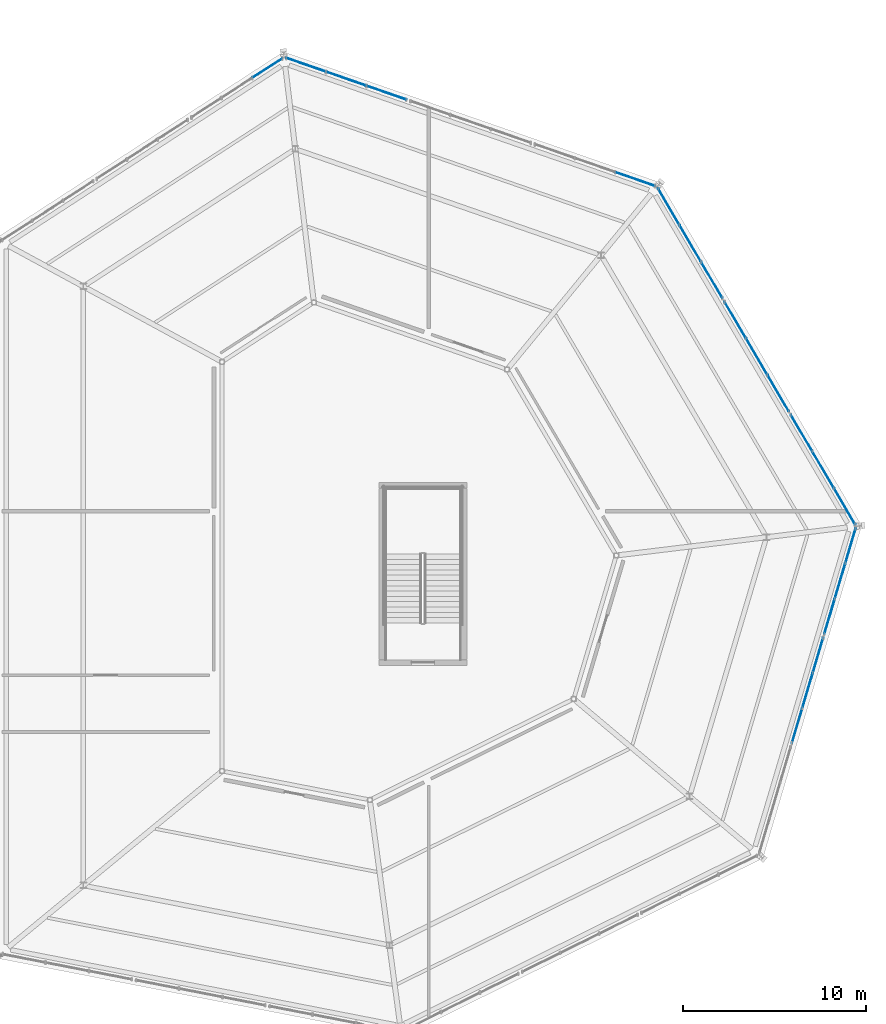
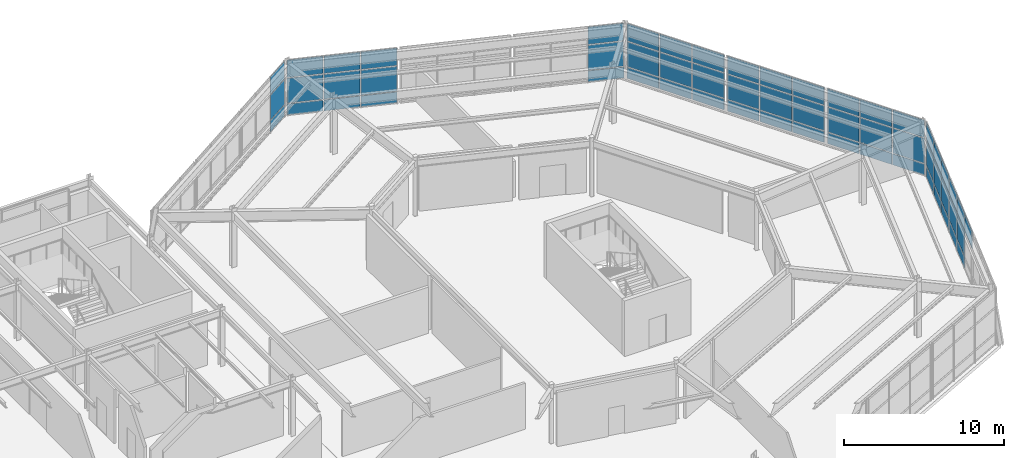
# One storey, part 43 of 69: 58 plates, 8 elements without a shape of their own.
"""IFC4 building model written with IfcOpenShell, lengths in metres."""

from ifc_helpers import new_model, si_unit, direction, frame, origin, origin_2d, place, context, subcontext, project, spatial, rectangle, extrude, material, layer, layer_set, type_object, element, aggregate, save


model = new_model("IFC4")

# Units and contexts
model_context = context("Model", 3, precision=1e-05, world=origin(), true_north=direction((0.0, 1.0)))
body_context = subcontext(model_context, "Body", "Model", "MODEL_VIEW")
ifc_project = project(units=[si_unit("LENGTHUNIT", "METRE"), si_unit("AREAUNIT", "SQUARE_METRE"), si_unit("VOLUMEUNIT", "CUBIC_METRE"), si_unit("PLANEANGLEUNIT", "RADIAN"), si_unit("MASSUNIT", "GRAM", prefix="KILO")], contexts=[model_context])

# Site, building, storey
site_placement = place(None, origin())
site = spatial("IfcSite", under=ifc_project, at=site_placement, CompositionType="ELEMENT")
building_placement = place(site_placement, origin())
building = spatial("IfcBuilding", under=site, at=building_placement, Name="Sarnbrook Museum", CompositionType="ELEMENT")
storey_placement = place(building_placement, frame((0.0, 0.0, 14.60009765625)))
storey = spatial("IfcBuildingStorey", under=building, at=storey_placement, Name="L03", CompositionType="ELEMENT", Elevation=14.60009765625)

# Curtain wall, plates
ifc_material_1 = material(Name="Thermally Broken Anodised Aluminium 6063-T6", Category="aluminium")
curtain_wall_type = type_object("IfcCurtainWallType", Name="CurtainWall_CrystalFacet", PredefinedType="NOTDEFINED", material=ifc_material_1)
curtain_wall_1_placement = place(storey_placement, origin())
curtain_wall_1 = element("IfcCurtainWall", 1, at=curtain_wall_1_placement, inside=storey, type_object=curtain_wall_type, Name="Crystal Hall Facet Curtain Wall L03-F3.2", PredefinedType="NOTDEFINED")
ifc_material_2 = material(Name="Double-Glazed Low-Iron Laminated Safety Glass", Category="glass")
ifc_layer_1 = layer(ifc_material_2, 0.031982421875)
ifc_layer_set_1 = layer_set([ifc_layer_1], Name="Double-Glazed Low-Iron Laminated Safety Glass")
plate_type_1 = type_object("IfcPlateType", Name="CW_GlazedPanel_32", PredefinedType="CURTAIN_PANEL", material=ifc_layer_set_1)
plate_1_placement = place(storey_placement, frame((164.26123046875, 76.873779296875, 3.544921875), z_axis=(0.958645365985, -0.284603341996, 0.0), x_axis=(0.284603341996, 0.958645365985, 0.0)))
plate_1 = element("IfcPlate", 2, at=plate_1_placement, type_object=plate_type_1, Name="Crystal Hall Facet Curtain Wall L03-F3.2 Glazed Panel 1-3", PredefinedType="CURTAIN_PANEL", context=body_context, shape_type="SweptSolid", body=[
    extrude(rectangle(XDim=1.95556640625, YDim=1.320068359375, at=origin_2d()), origin(), (0.0, 0.0, 1.0), 0.031982421875),
])
plate_2_placement = place(storey_placement, frame((164.839111328125, 78.8203125, 1.875), z_axis=(0.958645365985, -0.284603341996, 0.0), x_axis=(0.284603341996, 0.958645365985, 0.0)))
plate_2 = element("IfcPlate", 3, at=plate_2_placement, type_object=plate_type_1, Name="Crystal Hall Facet Curtain Wall L03-F3.2 Glazed Panel 2-2", PredefinedType="CURTAIN_PANEL", context=body_context, shape_type="SweptSolid", body=[
    extrude(rectangle(XDim=1.95556640625, YDim=1.8798828125, at=origin_2d()), origin(), (0.0, 0.0, 1.0), 0.031982421875),
])
plate_3_placement = place(storey_placement, frame((164.839111328125, 78.8203125, 3.544921875), z_axis=(0.958645365985, -0.284603341996, 0.0), x_axis=(0.284603341996, 0.958645365985, 0.0)))
plate_3 = element("IfcPlate", 4, at=plate_3_placement, type_object=plate_type_1, Name="Crystal Hall Facet Curtain Wall L03-F3.2 Glazed Panel 2-3", PredefinedType="CURTAIN_PANEL", context=body_context, shape_type="SweptSolid", body=[
    extrude(rectangle(XDim=1.95556640625, YDim=1.320068359375, at=origin_2d()), origin(), (0.0, 0.0, 1.0), 0.031982421875),
])
plate_4_placement = place(storey_placement, frame((165.417236328125, 80.766845703125, 1.875), z_axis=(0.958645365985, -0.284603341996, 0.0), x_axis=(0.284603341996, 0.958645365985, 0.0)))
plate_4 = element("IfcPlate", 5, at=plate_4_placement, type_object=plate_type_1, Name="Crystal Hall Facet Curtain Wall L03-F3.2 Glazed Panel 3-2", PredefinedType="CURTAIN_PANEL", context=body_context, shape_type="SweptSolid", body=[
    extrude(rectangle(XDim=1.95556640625, YDim=1.8798828125, at=origin_2d()), origin(), (0.0, 0.0, 1.0), 0.031982421875),
])
plate_5_placement = place(storey_placement, frame((165.417236328125, 80.766845703125, 3.544921875), z_axis=(0.958645365985, -0.284603341996, 0.0), x_axis=(0.284603341996, 0.958645365985, 0.0)))
plate_5 = element("IfcPlate", 6, at=plate_5_placement, type_object=plate_type_1, Name="Crystal Hall Facet Curtain Wall L03-F3.2 Glazed Panel 3-3", PredefinedType="CURTAIN_PANEL", context=body_context, shape_type="SweptSolid", body=[
    extrude(rectangle(XDim=1.95556640625, YDim=1.320068359375, at=origin_2d()), origin(), (0.0, 0.0, 1.0), 0.031982421875),
])

curtain_wall_2_placement = place(storey_placement, origin())
curtain_wall_2 = element("IfcCurtainWall", 7, at=curtain_wall_2_placement, inside=storey, type_object=curtain_wall_type, Name="Crystal Hall Facet Curtain Wall L03-F3.3", PredefinedType="NOTDEFINED")
plate_6_placement = place(storey_placement, frame((166.04052734375, 82.86669921875, 1.875), z_axis=(0.958645365985, -0.284603341996, 0.0), x_axis=(0.284603341996, 0.958645365985, 0.0)))
plate_6 = element("IfcPlate", 8, at=plate_6_placement, type_object=plate_type_1, Name="Crystal Hall Facet Curtain Wall L03-F3.3 Glazed Panel 1-2", PredefinedType="CURTAIN_PANEL", context=body_context, shape_type="SweptSolid", body=[
    extrude(rectangle(XDim=1.95556640625, YDim=1.8798828125, at=origin_2d()), origin(), (0.0, 0.0, 1.0), 0.031982421875),
])
plate_7_placement = place(storey_placement, frame((166.04052734375, 82.86669921875, 3.544921875), z_axis=(0.958645365985, -0.284603341996, 0.0), x_axis=(0.284603341996, 0.958645365985, 0.0)))
plate_7 = element("IfcPlate", 9, at=plate_7_placement, type_object=plate_type_1, Name="Crystal Hall Facet Curtain Wall L03-F3.3 Glazed Panel 1-3", PredefinedType="CURTAIN_PANEL", context=body_context, shape_type="SweptSolid", body=[
    extrude(rectangle(XDim=1.95556640625, YDim=1.320068359375, at=origin_2d()), origin(), (0.0, 0.0, 1.0), 0.031982421875),
])
plate_8_placement = place(storey_placement, frame((166.618408203125, 84.813232421875, 1.875), z_axis=(0.958645365985, -0.284603341996, 0.0), x_axis=(0.284603341996, 0.958645365985, 0.0)))
plate_8 = element("IfcPlate", 10, at=plate_8_placement, type_object=plate_type_1, Name="Crystal Hall Facet Curtain Wall L03-F3.3 Glazed Panel 2-2", PredefinedType="CURTAIN_PANEL", context=body_context, shape_type="SweptSolid", body=[
    extrude(rectangle(XDim=1.95556640625, YDim=1.8798828125, at=origin_2d()), origin(), (0.0, 0.0, 1.0), 0.031982421875),
])
plate_9_placement = place(storey_placement, frame((166.618408203125, 84.813232421875, 3.544921875), z_axis=(0.958645365985, -0.284603341996, 0.0), x_axis=(0.284603341996, 0.958645365985, 0.0)))
plate_9 = element("IfcPlate", 11, at=plate_9_placement, type_object=plate_type_1, Name="Crystal Hall Facet Curtain Wall L03-F3.3 Glazed Panel 2-3", PredefinedType="CURTAIN_PANEL", context=body_context, shape_type="SweptSolid", body=[
    extrude(rectangle(XDim=1.95556640625, YDim=1.320068359375, at=origin_2d()), origin(), (0.0, 0.0, 1.0), 0.031982421875),
])
plate_10_placement = place(storey_placement, frame((167.1962890625, 86.759765625, 1.875), z_axis=(0.958645365985, -0.284603341996, 0.0), x_axis=(0.284603341996, 0.958645365985, 0.0)))
plate_10 = element("IfcPlate", 12, at=plate_10_placement, type_object=plate_type_1, Name="Crystal Hall Facet Curtain Wall L03-F3.3 Glazed Panel 3-2", PredefinedType="CURTAIN_PANEL", context=body_context, shape_type="SweptSolid", body=[
    extrude(rectangle(XDim=1.95556640625, YDim=1.8798828125, at=origin_2d()), origin(), (0.0, 0.0, 1.0), 0.031982421875),
])
plate_11_placement = place(storey_placement, frame((167.1962890625, 86.759765625, 3.544921875), z_axis=(0.958645365985, -0.284603341996, 0.0), x_axis=(0.284603341996, 0.958645365985, 0.0)))
plate_11 = element("IfcPlate", 13, at=plate_11_placement, type_object=plate_type_1, Name="Crystal Hall Facet Curtain Wall L03-F3.3 Glazed Panel 3-3", PredefinedType="CURTAIN_PANEL", context=body_context, shape_type="SweptSolid", body=[
    extrude(rectangle(XDim=1.95556640625, YDim=1.320068359375, at=origin_2d()), origin(), (0.0, 0.0, 1.0), 0.031982421875),
])

curtain_wall_3_placement = place(storey_placement, origin())
curtain_wall_3 = element("IfcCurtainWall", 14, at=curtain_wall_3_placement, inside=storey, type_object=curtain_wall_type, Name="Crystal Hall Facet Curtain Wall L03-F4.1", PredefinedType="NOTDEFINED")
plate_12_placement = place(storey_placement, frame((166.876220703125, 88.8818359375, 1.875), z_axis=(0.862499358777, 0.506058154869, 0.0), x_axis=(-0.506058154869, 0.862499358777, 0.0)))
plate_12 = element("IfcPlate", 15, at=plate_12_placement, type_object=plate_type_1, Name="Crystal Hall Facet Curtain Wall L03-F4.1 Glazed Panel 1-2", PredefinedType="CURTAIN_PANEL", context=body_context, shape_type="SweptSolid", body=[
    extrude(rectangle(XDim=2.26611328125, YDim=1.8798828125, at=origin_2d()), origin(), (0.0, 0.0, 1.0), 0.031982421875),
])
plate_13_placement = place(storey_placement, frame((166.876220703125, 88.8818359375, 3.544921875), z_axis=(0.862499358777, 0.506058154869, 0.0), x_axis=(-0.506058154869, 0.862499358777, 0.0)))
plate_13 = element("IfcPlate", 16, at=plate_13_placement, type_object=plate_type_1, Name="Crystal Hall Facet Curtain Wall L03-F4.1 Glazed Panel 1-3", PredefinedType="CURTAIN_PANEL", context=body_context, shape_type="SweptSolid", body=[
    extrude(rectangle(XDim=2.26611328125, YDim=1.320068359375, at=origin_2d()), origin(), (0.0, 0.0, 1.0), 0.031982421875),
])
plate_14_placement = place(storey_placement, frame((165.69140625, 90.901123046875, 1.875), z_axis=(0.862499358777, 0.506058154869, 0.0), x_axis=(-0.506058154869, 0.862499358777, 0.0)))
plate_14 = element("IfcPlate", 17, at=plate_14_placement, type_object=plate_type_1, Name="Crystal Hall Facet Curtain Wall L03-F4.1 Glazed Panel 2-2", PredefinedType="CURTAIN_PANEL", context=body_context, shape_type="SweptSolid", body=[
    extrude(rectangle(XDim=2.26611328125, YDim=1.8798828125, at=origin_2d()), origin(), (0.0, 0.0, 1.0), 0.031982421875),
])
plate_15_placement = place(storey_placement, frame((165.69140625, 90.901123046875, 3.544921875), z_axis=(0.862499358777, 0.506058154869, 0.0), x_axis=(-0.506058154869, 0.862499358777, 0.0)))
plate_15 = element("IfcPlate", 18, at=plate_15_placement, type_object=plate_type_1, Name="Crystal Hall Facet Curtain Wall L03-F4.1 Glazed Panel 2-3", PredefinedType="CURTAIN_PANEL", context=body_context, shape_type="SweptSolid", body=[
    extrude(rectangle(XDim=2.26611328125, YDim=1.320068359375, at=origin_2d()), origin(), (0.0, 0.0, 1.0), 0.031982421875),
])
plate_16_placement = place(storey_placement, frame((164.506591796875, 92.920166015625, 1.875), z_axis=(0.862499358777, 0.506058154869, 0.0), x_axis=(-0.506058154869, 0.862499358777, 0.0)))
plate_16 = element("IfcPlate", 19, at=plate_16_placement, type_object=plate_type_1, Name="Crystal Hall Facet Curtain Wall L03-F4.1 Glazed Panel 3-2", PredefinedType="CURTAIN_PANEL", context=body_context, shape_type="SweptSolid", body=[
    extrude(rectangle(XDim=2.26611328125, YDim=1.8798828125, at=origin_2d()), origin(), (0.0, 0.0, 1.0), 0.031982421875),
])
plate_17_placement = place(storey_placement, frame((164.506591796875, 92.920166015625, 3.544921875), z_axis=(0.862499358777, 0.506058154869, 0.0), x_axis=(-0.506058154869, 0.862499358777, 0.0)))
plate_17 = element("IfcPlate", 20, at=plate_17_placement, type_object=plate_type_1, Name="Crystal Hall Facet Curtain Wall L03-F4.1 Glazed Panel 3-3", PredefinedType="CURTAIN_PANEL", context=body_context, shape_type="SweptSolid", body=[
    extrude(rectangle(XDim=2.26611328125, YDim=1.320068359375, at=origin_2d()), origin(), (0.0, 0.0, 1.0), 0.031982421875),
])

curtain_wall_4_placement = place(storey_placement, origin())
curtain_wall_4 = element("IfcCurtainWall", 21, at=curtain_wall_4_placement, inside=storey, type_object=curtain_wall_type, Name="Crystal Hall Facet Curtain Wall L03-F4.2", PredefinedType="NOTDEFINED")
plate_18_placement = place(storey_placement, frame((163.240966796875, 95.077392578125, 1.875), z_axis=(0.862499358777, 0.506058154869, 0.0), x_axis=(-0.506058154869, 0.862499358777, 0.0)))
plate_18 = element("IfcPlate", 22, at=plate_18_placement, type_object=plate_type_1, Name="Crystal Hall Facet Curtain Wall L03-F4.2 Glazed Panel 1-2", PredefinedType="CURTAIN_PANEL", context=body_context, shape_type="SweptSolid", body=[
    extrude(rectangle(XDim=2.26611328125, YDim=1.8798828125, at=origin_2d()), origin(), (0.0, 0.0, 1.0), 0.031982421875),
])
plate_19_placement = place(storey_placement, frame((163.240966796875, 95.077392578125, 3.544921875), z_axis=(0.862499358777, 0.506058154869, 0.0), x_axis=(-0.506058154869, 0.862499358777, 0.0)))
plate_19 = element("IfcPlate", 23, at=plate_19_placement, type_object=plate_type_1, Name="Crystal Hall Facet Curtain Wall L03-F4.2 Glazed Panel 1-3", PredefinedType="CURTAIN_PANEL", context=body_context, shape_type="SweptSolid", body=[
    extrude(rectangle(XDim=2.26611328125, YDim=1.320068359375, at=origin_2d()), origin(), (0.0, 0.0, 1.0), 0.031982421875),
])
plate_20_placement = place(storey_placement, frame((162.05615234375, 97.096435546875, 1.875), z_axis=(0.862499358777, 0.506058154869, 0.0), x_axis=(-0.506058154869, 0.862499358777, 0.0)))
plate_20 = element("IfcPlate", 24, at=plate_20_placement, type_object=plate_type_1, Name="Crystal Hall Facet Curtain Wall L03-F4.2 Glazed Panel 2-2", PredefinedType="CURTAIN_PANEL", context=body_context, shape_type="SweptSolid", body=[
    extrude(rectangle(XDim=2.26611328125, YDim=1.8798828125, at=origin_2d()), origin(), (0.0, 0.0, 1.0), 0.031982421875),
])
plate_21_placement = place(storey_placement, frame((162.05615234375, 97.096435546875, 3.544921875), z_axis=(0.862499358777, 0.506058154869, 0.0), x_axis=(-0.506058154869, 0.862499358777, 0.0)))
plate_21 = element("IfcPlate", 25, at=plate_21_placement, type_object=plate_type_1, Name="Crystal Hall Facet Curtain Wall L03-F4.2 Glazed Panel 2-3", PredefinedType="CURTAIN_PANEL", context=body_context, shape_type="SweptSolid", body=[
    extrude(rectangle(XDim=2.26611328125, YDim=1.320068359375, at=origin_2d()), origin(), (0.0, 0.0, 1.0), 0.031982421875),
])
plate_22_placement = place(storey_placement, frame((160.87158203125, 99.11572265625, 1.875), z_axis=(0.862499358777, 0.506058154869, 0.0), x_axis=(-0.506058154869, 0.862499358777, 0.0)))
plate_22 = element("IfcPlate", 26, at=plate_22_placement, type_object=plate_type_1, Name="Crystal Hall Facet Curtain Wall L03-F4.2 Glazed Panel 3-2", PredefinedType="CURTAIN_PANEL", context=body_context, shape_type="SweptSolid", body=[
    extrude(rectangle(XDim=2.26611328125, YDim=1.8798828125, at=origin_2d()), origin(), (0.0, 0.0, 1.0), 0.031982421875),
])
plate_23_placement = place(storey_placement, frame((160.87158203125, 99.11572265625, 3.544921875), z_axis=(0.862499358777, 0.506058154869, 0.0), x_axis=(-0.506058154869, 0.862499358777, 0.0)))
plate_23 = element("IfcPlate", 27, at=plate_23_placement, type_object=plate_type_1, Name="Crystal Hall Facet Curtain Wall L03-F4.2 Glazed Panel 3-3", PredefinedType="CURTAIN_PANEL", context=body_context, shape_type="SweptSolid", body=[
    extrude(rectangle(XDim=2.26611328125, YDim=1.320068359375, at=origin_2d()), origin(), (0.0, 0.0, 1.0), 0.031982421875),
])

curtain_wall_5_placement = place(storey_placement, origin())
curtain_wall_5 = element("IfcCurtainWall", 28, at=curtain_wall_5_placement, inside=storey, type_object=curtain_wall_type, Name="Crystal Hall Facet Curtain Wall L03-F4.3", PredefinedType="NOTDEFINED")
plate_24_placement = place(storey_placement, frame((159.605712890625, 101.27294921875, 1.875), z_axis=(0.862499358777, 0.506058154869, 0.0), x_axis=(-0.506058154869, 0.862499358777, 0.0)))
plate_24 = element("IfcPlate", 29, at=plate_24_placement, type_object=plate_type_1, Name="Crystal Hall Facet Curtain Wall L03-F4.3 Glazed Panel 1-2", PredefinedType="CURTAIN_PANEL", context=body_context, shape_type="SweptSolid", body=[
    extrude(rectangle(XDim=2.26611328125, YDim=1.8798828125, at=origin_2d()), origin(), (0.0, 0.0, 1.0), 0.031982421875),
])
plate_25_placement = place(storey_placement, frame((159.605712890625, 101.27294921875, 3.544921875), z_axis=(0.862499358777, 0.506058154869, 0.0), x_axis=(-0.506058154869, 0.862499358777, 0.0)))
plate_25 = element("IfcPlate", 30, at=plate_25_placement, type_object=plate_type_1, Name="Crystal Hall Facet Curtain Wall L03-F4.3 Glazed Panel 1-3", PredefinedType="CURTAIN_PANEL", context=body_context, shape_type="SweptSolid", body=[
    extrude(rectangle(XDim=2.26611328125, YDim=1.320068359375, at=origin_2d()), origin(), (0.0, 0.0, 1.0), 0.031982421875),
])
plate_26_placement = place(storey_placement, frame((158.421142578125, 103.292236328125, 1.875), z_axis=(0.862499358777, 0.506058154869, 0.0), x_axis=(-0.506058154869, 0.862499358777, 0.0)))
plate_26 = element("IfcPlate", 31, at=plate_26_placement, type_object=plate_type_1, Name="Crystal Hall Facet Curtain Wall L03-F4.3 Glazed Panel 2-2", PredefinedType="CURTAIN_PANEL", context=body_context, shape_type="SweptSolid", body=[
    extrude(rectangle(XDim=2.26611328125, YDim=1.8798828125, at=origin_2d()), origin(), (0.0, 0.0, 1.0), 0.031982421875),
])
plate_27_placement = place(storey_placement, frame((158.421142578125, 103.292236328125, 3.544921875), z_axis=(0.862499358777, 0.506058154869, 0.0), x_axis=(-0.506058154869, 0.862499358777, 0.0)))
plate_27 = element("IfcPlate", 32, at=plate_27_placement, type_object=plate_type_1, Name="Crystal Hall Facet Curtain Wall L03-F4.3 Glazed Panel 2-3", PredefinedType="CURTAIN_PANEL", context=body_context, shape_type="SweptSolid", body=[
    extrude(rectangle(XDim=2.26611328125, YDim=1.320068359375, at=origin_2d()), origin(), (0.0, 0.0, 1.0), 0.031982421875),
])
plate_28_placement = place(storey_placement, frame((157.236328125, 105.311279296875, 1.875), z_axis=(0.862499358777, 0.506058154869, 0.0), x_axis=(-0.506058154869, 0.862499358777, 0.0)))
plate_28 = element("IfcPlate", 33, at=plate_28_placement, type_object=plate_type_1, Name="Crystal Hall Facet Curtain Wall L03-F4.3 Glazed Panel 3-2", PredefinedType="CURTAIN_PANEL", context=body_context, shape_type="SweptSolid", body=[
    extrude(rectangle(XDim=2.26611328125, YDim=1.8798828125, at=origin_2d()), origin(), (0.0, 0.0, 1.0), 0.031982421875),
])
plate_29_placement = place(storey_placement, frame((157.236328125, 105.311279296875, 3.544921875), z_axis=(0.862499358777, 0.506058154869, 0.0), x_axis=(-0.506058154869, 0.862499358777, 0.0)))
plate_29 = element("IfcPlate", 34, at=plate_29_placement, type_object=plate_type_1, Name="Crystal Hall Facet Curtain Wall L03-F4.3 Glazed Panel 3-3", PredefinedType="CURTAIN_PANEL", context=body_context, shape_type="SweptSolid", body=[
    extrude(rectangle(XDim=2.26611328125, YDim=1.320068359375, at=origin_2d()), origin(), (0.0, 0.0, 1.0), 0.031982421875),
])

curtain_wall_6_placement = place(storey_placement, origin())
curtain_wall_6 = element("IfcCurtainWall", 35, at=curtain_wall_6_placement, inside=storey, type_object=curtain_wall_type, Name="Crystal Hall Facet Curtain Wall L03-F5.1", PredefinedType="NOTDEFINED")
plate_30_placement = place(storey_placement, frame((155.42333984375, 106.797607421875, 1.875), z_axis=(0.328010484194, 0.944674082559, 0.0), x_axis=(-0.944674082559, 0.328010484194, 0.0)))
plate_30 = element("IfcPlate", 36, at=plate_30_placement, type_object=plate_type_1, Name="Crystal Hall Facet Curtain Wall L03-F5.1 Glazed Panel 1-2", PredefinedType="CURTAIN_PANEL", context=body_context, shape_type="SweptSolid", body=[
    extrude(rectangle(XDim=2.272705078125, YDim=1.8798828125, at=origin_2d()), origin(), (0.0, 0.0, 1.0), 0.031982421875),
])
plate_31_placement = place(storey_placement, frame((155.42333984375, 106.797607421875, 3.544921875), z_axis=(0.328010484194, 0.944674082559, 0.0), x_axis=(-0.944674082559, 0.328010484194, 0.0)))
plate_31 = element("IfcPlate", 37, at=plate_31_placement, type_object=plate_type_1, Name="Crystal Hall Facet Curtain Wall L03-F5.1 Glazed Panel 1-3", PredefinedType="CURTAIN_PANEL", context=body_context, shape_type="SweptSolid", body=[
    extrude(rectangle(XDim=2.272705078125, YDim=1.320068359375, at=origin_2d()), origin(), (0.0, 0.0, 1.0), 0.031982421875),
])

curtain_wall_7_placement = place(storey_placement, origin())
curtain_wall_7 = element("IfcCurtainWall", 38, at=curtain_wall_7_placement, inside=storey, type_object=curtain_wall_type, Name="Crystal Hall Facet Curtain Wall L03-F5.3", PredefinedType="NOTDEFINED")
plate_32_placement = place(storey_placement, frame((141.81396484375, 111.52294921875, 1.875), z_axis=(0.328010484194, 0.944674082559, 0.0), x_axis=(-0.944674082559, 0.328010484194, 0.0)))
plate_32 = element("IfcPlate", 39, at=plate_32_placement, type_object=plate_type_1, Name="Crystal Hall Facet Curtain Wall L03-F5.3 Glazed Panel 1-2", PredefinedType="CURTAIN_PANEL", context=body_context, shape_type="SweptSolid", body=[
    extrude(rectangle(XDim=2.272705078125, YDim=1.8798828125, at=origin_2d()), origin(), (0.0, 0.0, 1.0), 0.031982421875),
])
plate_33_placement = place(storey_placement, frame((141.81396484375, 111.52294921875, 3.544921875), z_axis=(0.328010484194, 0.944674082559, 0.0), x_axis=(-0.944674082559, 0.328010484194, 0.0)))
plate_33 = element("IfcPlate", 40, at=plate_33_placement, type_object=plate_type_1, Name="Crystal Hall Facet Curtain Wall L03-F5.3 Glazed Panel 1-3", PredefinedType="CURTAIN_PANEL", context=body_context, shape_type="SweptSolid", body=[
    extrude(rectangle(XDim=2.272705078125, YDim=1.320068359375, at=origin_2d()), origin(), (0.0, 0.0, 1.0), 0.031982421875),
])
plate_34_placement = place(storey_placement, frame((139.59619140625, 112.293212890625, 1.875), z_axis=(0.328010484194, 0.944674082559, 0.0), x_axis=(-0.944674082559, 0.328010484194, 0.0)))
plate_34 = element("IfcPlate", 41, at=plate_34_placement, type_object=plate_type_1, Name="Crystal Hall Facet Curtain Wall L03-F5.3 Glazed Panel 2-2", PredefinedType="CURTAIN_PANEL", context=body_context, shape_type="SweptSolid", body=[
    extrude(rectangle(XDim=2.272705078125, YDim=1.8798828125, at=origin_2d()), origin(), (0.0, 0.0, 1.0), 0.031982421875),
])
plate_35_placement = place(storey_placement, frame((139.59619140625, 112.293212890625, 3.544921875), z_axis=(0.328010484194, 0.944674082559, 0.0), x_axis=(-0.944674082559, 0.328010484194, 0.0)))
plate_35 = element("IfcPlate", 42, at=plate_35_placement, type_object=plate_type_1, Name="Crystal Hall Facet Curtain Wall L03-F5.3 Glazed Panel 2-3", PredefinedType="CURTAIN_PANEL", context=body_context, shape_type="SweptSolid", body=[
    extrude(rectangle(XDim=2.272705078125, YDim=1.320068359375, at=origin_2d()), origin(), (0.0, 0.0, 1.0), 0.031982421875),
])
plate_36_placement = place(storey_placement, frame((137.378173828125, 113.063232421875, 1.875), z_axis=(0.328010484194, 0.944674082559, 0.0), x_axis=(-0.944674082559, 0.328010484194, 0.0)))
plate_36 = element("IfcPlate", 43, at=plate_36_placement, type_object=plate_type_1, Name="Crystal Hall Facet Curtain Wall L03-F5.3 Glazed Panel 3-2", PredefinedType="CURTAIN_PANEL", context=body_context, shape_type="SweptSolid", body=[
    extrude(rectangle(XDim=2.272705078125, YDim=1.8798828125, at=origin_2d()), origin(), (0.0, 0.0, 1.0), 0.031982421875),
])
plate_37_placement = place(storey_placement, frame((137.378173828125, 113.063232421875, 3.544921875), z_axis=(0.328010484194, 0.944674082559, 0.0), x_axis=(-0.944674082559, 0.328010484194, 0.0)))
plate_37 = element("IfcPlate", 44, at=plate_37_placement, type_object=plate_type_1, Name="Crystal Hall Facet Curtain Wall L03-F5.3 Glazed Panel 3-3", PredefinedType="CURTAIN_PANEL", context=body_context, shape_type="SweptSolid", body=[
    extrude(rectangle(XDim=2.272705078125, YDim=1.320068359375, at=origin_2d()), origin(), (0.0, 0.0, 1.0), 0.031982421875),
])

curtain_wall_8_placement = place(storey_placement, origin())
curtain_wall_8 = element("IfcCurtainWall", 45, at=curtain_wall_8_placement, inside=storey, type_object=curtain_wall_type, Name="Crystal Hall Facet Curtain Wall L03-F6.1", PredefinedType="NOTDEFINED")
plate_38_placement = place(storey_placement, frame((135.29296875, 112.886474609375, 1.875), z_axis=(-0.54428459897, 0.838900634953, 0.0), x_axis=(-0.838900634953, -0.54428459897, 0.0)))
plate_38 = element("IfcPlate", 46, at=plate_38_placement, type_object=plate_type_1, Name="Crystal Hall Facet Curtain Wall L03-F6.1 Glazed Panel 1-2", PredefinedType="CURTAIN_PANEL", context=body_context, shape_type="SweptSolid", body=[
    extrude(rectangle(XDim=1.928955078125, YDim=1.8798828125, at=origin_2d()), origin(), (0.0, 0.0, 1.0), 0.031982421875),
])
plate_39_placement = place(storey_placement, frame((135.29296875, 112.886474609375, 3.544921875), z_axis=(-0.54428459897, 0.838900634953, 0.0), x_axis=(-0.838900634953, -0.54428459897, 0.0)))
plate_39 = element("IfcPlate", 47, at=plate_39_placement, type_object=plate_type_1, Name="Crystal Hall Facet Curtain Wall L03-F6.1 Glazed Panel 1-3", PredefinedType="CURTAIN_PANEL", context=body_context, shape_type="SweptSolid", body=[
    extrude(rectangle(XDim=1.928955078125, YDim=1.320068359375, at=origin_2d()), origin(), (0.0, 0.0, 1.0), 0.031982421875),
])

# Plate
ifc_material_3 = material(Name="Patinated Architectural Bronze")
ifc_layer_2 = layer(ifc_material_3, 0.044921875)
ifc_layer_set_2 = layer_set([ifc_layer_2], Name="Patinated Architectural Bronze")
plate_type_2 = type_object("IfcPlateType", Name="CW_SpandrelPanel_45", PredefinedType="CURTAIN_PANEL", material=ifc_layer_set_2)
plate_40_placement = place(storey_placement, frame((164.8330078125, 78.822021484375, 0.449951171875), z_axis=(0.958645365985, -0.284603341996, 0.0), x_axis=(0.284603341996, 0.958645365985, 0.0)))
plate_40 = element("IfcPlate", 48, at=plate_40_placement, type_object=plate_type_2, Name="Crystal Hall Facet Curtain Wall L03-F3.2 Spandrel Panel 2-1", PredefinedType="CURTAIN_PANEL", context=body_context, shape_type="SweptSolid", body=[
    extrude(rectangle(XDim=1.95556640625, YDim=0.830078125, at=origin_2d()), origin(), (0.0, 0.0, 1.0), 0.044921875),
])

plate_41_placement = place(storey_placement, frame((165.4111328125, 80.7685546875, 0.449951171875), z_axis=(0.958645365985, -0.284603341996, 0.0), x_axis=(0.284603341996, 0.958645365985, 0.0)))
plate_41 = element("IfcPlate", 49, at=plate_41_placement, type_object=plate_type_2, Name="Crystal Hall Facet Curtain Wall L03-F3.2 Spandrel Panel 3-1", PredefinedType="CURTAIN_PANEL", context=body_context, shape_type="SweptSolid", body=[
    extrude(rectangle(XDim=1.95556640625, YDim=0.830078125, at=origin_2d()), origin(), (0.0, 0.0, 1.0), 0.044921875),
])

aggregate(curtain_wall_1, [plate_1, plate_40, plate_2, plate_3, plate_41, plate_4, plate_5])

plate_42_placement = place(storey_placement, frame((166.034423828125, 82.868408203125, 0.449951171875), z_axis=(0.958645365985, -0.284603341996, 0.0), x_axis=(0.284603341996, 0.958645365985, 0.0)))
plate_42 = element("IfcPlate", 50, at=plate_42_placement, type_object=plate_type_2, Name="Crystal Hall Facet Curtain Wall L03-F3.3 Spandrel Panel 1-1", PredefinedType="CURTAIN_PANEL", context=body_context, shape_type="SweptSolid", body=[
    extrude(rectangle(XDim=1.95556640625, YDim=0.830078125, at=origin_2d()), origin(), (0.0, 0.0, 1.0), 0.044921875),
])

plate_43_placement = place(storey_placement, frame((166.6123046875, 84.81494140625, 0.449951171875), z_axis=(0.958645365985, -0.284603341996, 0.0), x_axis=(0.284603341996, 0.958645365985, 0.0)))
plate_43 = element("IfcPlate", 51, at=plate_43_placement, type_object=plate_type_2, Name="Crystal Hall Facet Curtain Wall L03-F3.3 Spandrel Panel 2-1", PredefinedType="CURTAIN_PANEL", context=body_context, shape_type="SweptSolid", body=[
    extrude(rectangle(XDim=1.95556640625, YDim=0.830078125, at=origin_2d()), origin(), (0.0, 0.0, 1.0), 0.044921875),
])

plate_44_placement = place(storey_placement, frame((167.190185546875, 86.761474609375, 0.449951171875), z_axis=(0.958645365985, -0.284603341996, 0.0), x_axis=(0.284603341996, 0.958645365985, 0.0)))
plate_44 = element("IfcPlate", 52, at=plate_44_placement, type_object=plate_type_2, Name="Crystal Hall Facet Curtain Wall L03-F3.3 Spandrel Panel 3-1", PredefinedType="CURTAIN_PANEL", context=body_context, shape_type="SweptSolid", body=[
    extrude(rectangle(XDim=1.95556640625, YDim=0.830078125, at=origin_2d()), origin(), (0.0, 0.0, 1.0), 0.044921875),
])

aggregate(curtain_wall_2, [plate_42, plate_6, plate_7, plate_43, plate_8, plate_9, plate_44, plate_10, plate_11])

plate_45_placement = place(storey_placement, frame((166.87060546875, 88.87841796875, 0.449951171875), z_axis=(0.862499358777, 0.506058154869, 0.0), x_axis=(-0.506058154869, 0.862499358777, 0.0)))
plate_45 = element("IfcPlate", 53, at=plate_45_placement, type_object=plate_type_2, Name="Crystal Hall Facet Curtain Wall L03-F4.1 Spandrel Panel 1-1", PredefinedType="CURTAIN_PANEL", context=body_context, shape_type="SweptSolid", body=[
    extrude(rectangle(XDim=2.26611328125, YDim=0.830078125, at=origin_2d()), origin(), (0.0, 0.0, 1.0), 0.044921875),
])

plate_46_placement = place(storey_placement, frame((165.685791015625, 90.897705078125, 0.449951171875), z_axis=(0.862499358777, 0.506058154869, 0.0), x_axis=(-0.506058154869, 0.862499358777, 0.0)))
plate_46 = element("IfcPlate", 54, at=plate_46_placement, type_object=plate_type_2, Name="Crystal Hall Facet Curtain Wall L03-F4.1 Spandrel Panel 2-1", PredefinedType="CURTAIN_PANEL", context=body_context, shape_type="SweptSolid", body=[
    extrude(rectangle(XDim=2.26611328125, YDim=0.830078125, at=origin_2d()), origin(), (0.0, 0.0, 1.0), 0.044921875),
])

plate_47_placement = place(storey_placement, frame((164.5009765625, 92.916748046875, 0.449951171875), z_axis=(0.862499358777, 0.506058154869, 0.0), x_axis=(-0.506058154869, 0.862499358777, 0.0)))
plate_47 = element("IfcPlate", 55, at=plate_47_placement, type_object=plate_type_2, Name="Crystal Hall Facet Curtain Wall L03-F4.1 Spandrel Panel 3-1", PredefinedType="CURTAIN_PANEL", context=body_context, shape_type="SweptSolid", body=[
    extrude(rectangle(XDim=2.26611328125, YDim=0.830078125, at=origin_2d()), origin(), (0.0, 0.0, 1.0), 0.044921875),
])

aggregate(curtain_wall_3, [plate_45, plate_12, plate_13, plate_46, plate_14, plate_15, plate_47, plate_16, plate_17])

plate_48_placement = place(storey_placement, frame((163.2353515625, 95.073974609375, 0.449951171875), z_axis=(0.862499358777, 0.506058154869, 0.0), x_axis=(-0.506058154869, 0.862499358777, 0.0)))
plate_48 = element("IfcPlate", 56, at=plate_48_placement, type_object=plate_type_2, Name="Crystal Hall Facet Curtain Wall L03-F4.2 Spandrel Panel 1-1", PredefinedType="CURTAIN_PANEL", context=body_context, shape_type="SweptSolid", body=[
    extrude(rectangle(XDim=2.26611328125, YDim=0.830078125, at=origin_2d()), origin(), (0.0, 0.0, 1.0), 0.044921875),
])

plate_49_placement = place(storey_placement, frame((162.050537109375, 97.093017578125, 0.449951171875), z_axis=(0.862499358777, 0.506058154869, 0.0), x_axis=(-0.506058154869, 0.862499358777, 0.0)))
plate_49 = element("IfcPlate", 57, at=plate_49_placement, type_object=plate_type_2, Name="Crystal Hall Facet Curtain Wall L03-F4.2 Spandrel Panel 2-1", PredefinedType="CURTAIN_PANEL", context=body_context, shape_type="SweptSolid", body=[
    extrude(rectangle(XDim=2.26611328125, YDim=0.830078125, at=origin_2d()), origin(), (0.0, 0.0, 1.0), 0.044921875),
])

plate_50_placement = place(storey_placement, frame((160.865966796875, 99.1123046875, 0.449951171875), z_axis=(0.862499358777, 0.506058154869, 0.0), x_axis=(-0.506058154869, 0.862499358777, 0.0)))
plate_50 = element("IfcPlate", 58, at=plate_50_placement, type_object=plate_type_2, Name="Crystal Hall Facet Curtain Wall L03-F4.2 Spandrel Panel 3-1", PredefinedType="CURTAIN_PANEL", context=body_context, shape_type="SweptSolid", body=[
    extrude(rectangle(XDim=2.26611328125, YDim=0.830078125, at=origin_2d()), origin(), (0.0, 0.0, 1.0), 0.044921875),
])

aggregate(curtain_wall_4, [plate_48, plate_18, plate_19, plate_49, plate_20, plate_21, plate_50, plate_22, plate_23])

plate_51_placement = place(storey_placement, frame((159.60009765625, 101.26953125, 0.449951171875), z_axis=(0.862499358777, 0.506058154869, 0.0), x_axis=(-0.506058154869, 0.862499358777, 0.0)))
plate_51 = element("IfcPlate", 59, at=plate_51_placement, type_object=plate_type_2, Name="Crystal Hall Facet Curtain Wall L03-F4.3 Spandrel Panel 1-1", PredefinedType="CURTAIN_PANEL", context=body_context, shape_type="SweptSolid", body=[
    extrude(rectangle(XDim=2.26611328125, YDim=0.830078125, at=origin_2d()), origin(), (0.0, 0.0, 1.0), 0.044921875),
])

plate_52_placement = place(storey_placement, frame((158.41552734375, 103.288818359375, 0.449951171875), z_axis=(0.862499358777, 0.506058154869, 0.0), x_axis=(-0.506058154869, 0.862499358777, 0.0)))
plate_52 = element("IfcPlate", 60, at=plate_52_placement, type_object=plate_type_2, Name="Crystal Hall Facet Curtain Wall L03-F4.3 Spandrel Panel 2-1", PredefinedType="CURTAIN_PANEL", context=body_context, shape_type="SweptSolid", body=[
    extrude(rectangle(XDim=2.26611328125, YDim=0.830078125, at=origin_2d()), origin(), (0.0, 0.0, 1.0), 0.044921875),
])

plate_53_placement = place(storey_placement, frame((157.230712890625, 105.307861328125, 0.449951171875), z_axis=(0.862499358777, 0.506058154869, 0.0), x_axis=(-0.506058154869, 0.862499358777, 0.0)))
plate_53 = element("IfcPlate", 61, at=plate_53_placement, type_object=plate_type_2, Name="Crystal Hall Facet Curtain Wall L03-F4.3 Spandrel Panel 3-1", PredefinedType="CURTAIN_PANEL", context=body_context, shape_type="SweptSolid", body=[
    extrude(rectangle(XDim=2.26611328125, YDim=0.830078125, at=origin_2d()), origin(), (0.0, 0.0, 1.0), 0.044921875),
])

aggregate(curtain_wall_5, [plate_51, plate_24, plate_25, plate_52, plate_26, plate_27, plate_53, plate_28, plate_29])

plate_54_placement = place(storey_placement, frame((155.421142578125, 106.79150390625, 0.449951171875), z_axis=(0.328010484194, 0.944674082559, 0.0), x_axis=(-0.944674082559, 0.328010484194, 0.0)))
plate_54 = element("IfcPlate", 62, at=plate_54_placement, type_object=plate_type_2, Name="Crystal Hall Facet Curtain Wall L03-F5.1 Spandrel Panel 1-1", PredefinedType="CURTAIN_PANEL", context=body_context, shape_type="SweptSolid", body=[
    extrude(rectangle(XDim=2.272705078125, YDim=0.830078125, at=origin_2d()), origin(), (0.0, 0.0, 1.0), 0.044921875),
])

aggregate(curtain_wall_6, [plate_54, plate_30, plate_31])

plate_55_placement = place(storey_placement, frame((141.811767578125, 111.516845703125, 0.449951171875), z_axis=(0.328010484194, 0.944674082559, 0.0), x_axis=(-0.944674082559, 0.328010484194, 0.0)))
plate_55 = element("IfcPlate", 63, at=plate_55_placement, type_object=plate_type_2, Name="Crystal Hall Facet Curtain Wall L03-F5.3 Spandrel Panel 1-1", PredefinedType="CURTAIN_PANEL", context=body_context, shape_type="SweptSolid", body=[
    extrude(rectangle(XDim=2.272705078125, YDim=0.830078125, at=origin_2d()), origin(), (0.0, 0.0, 1.0), 0.044921875),
])

plate_56_placement = place(storey_placement, frame((139.593994140625, 112.287109375, 0.449951171875), z_axis=(0.328010484194, 0.944674082559, 0.0), x_axis=(-0.944674082559, 0.328010484194, 0.0)))
plate_56 = element("IfcPlate", 64, at=plate_56_placement, type_object=plate_type_2, Name="Crystal Hall Facet Curtain Wall L03-F5.3 Spandrel Panel 2-1", PredefinedType="CURTAIN_PANEL", context=body_context, shape_type="SweptSolid", body=[
    extrude(rectangle(XDim=2.272705078125, YDim=0.830078125, at=origin_2d()), origin(), (0.0, 0.0, 1.0), 0.044921875),
])

plate_57_placement = place(storey_placement, frame((137.3759765625, 113.05712890625, 0.449951171875), z_axis=(0.328010484194, 0.944674082559, 0.0), x_axis=(-0.944674082559, 0.328010484194, 0.0)))
plate_57 = element("IfcPlate", 65, at=plate_57_placement, type_object=plate_type_2, Name="Crystal Hall Facet Curtain Wall L03-F5.3 Spandrel Panel 3-1", PredefinedType="CURTAIN_PANEL", context=body_context, shape_type="SweptSolid", body=[
    extrude(rectangle(XDim=2.272705078125, YDim=0.830078125, at=origin_2d()), origin(), (0.0, 0.0, 1.0), 0.044921875),
])

aggregate(curtain_wall_7, [plate_55, plate_32, plate_33, plate_56, plate_34, plate_35, plate_57, plate_36, plate_37])

plate_58_placement = place(storey_placement, frame((135.29638671875, 112.881103515625, 0.449951171875), z_axis=(-0.54428459897, 0.838900634953, 0.0), x_axis=(-0.838900634953, -0.54428459897, 0.0)))
plate_58 = element("IfcPlate", 66, at=plate_58_placement, type_object=plate_type_2, Name="Crystal Hall Facet Curtain Wall L03-F6.1 Spandrel Panel 1-1", PredefinedType="CURTAIN_PANEL", context=body_context, shape_type="SweptSolid", body=[
    extrude(rectangle(XDim=1.928955078125, YDim=0.830078125, at=origin_2d()), origin(), (0.0, 0.0, 1.0), 0.044921875),
])

aggregate(curtain_wall_8, [plate_58, plate_38, plate_39])

save(model, "model.ifc")
